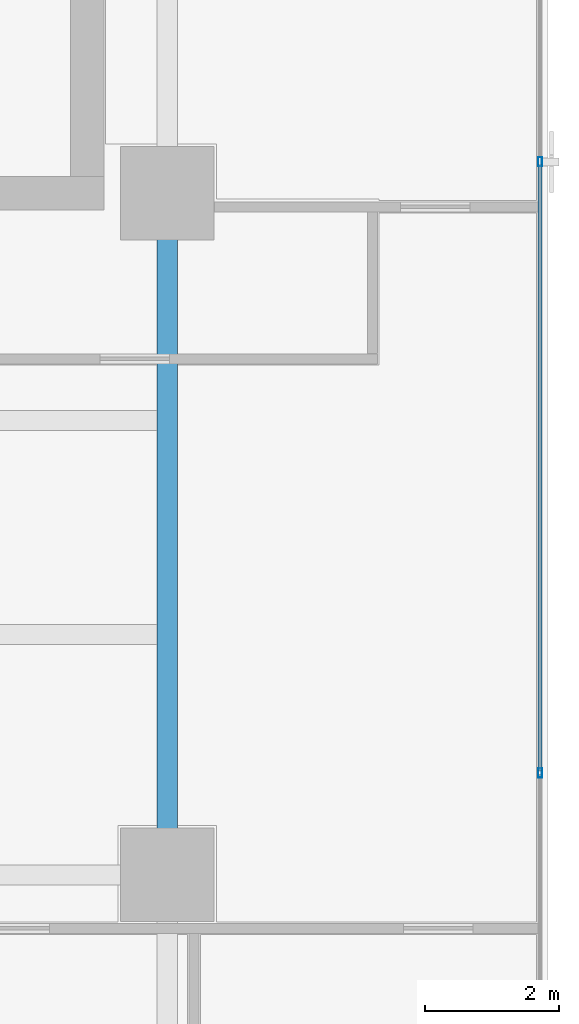
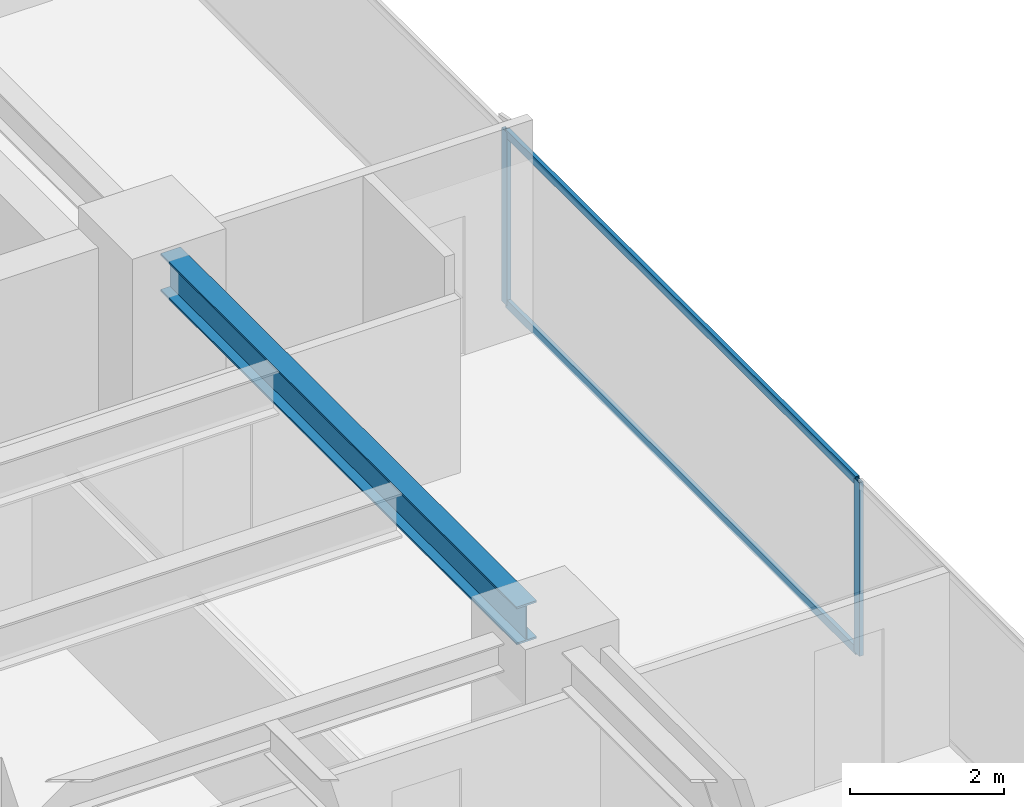
# One storey, part 13 of 25: 4 members, 1 beam, 1 element without a shape of its own.
"""IFC4 building model written with IfcOpenShell, lengths in metres."""

from ifc_helpers import new_model, si_unit, direction, frame, origin, origin_2d, place, context, subcontext, project, spatial, hollow_rectangle, i_section, extrude, source, transform, mapped, material, layer, layer_set, material_profile, profile_set, type_object, element, aggregate, save


model = new_model("IFC4")

# Units and contexts
model_context = context("Model", 3, precision=1e-05, world=origin(), true_north=direction((0.0, 1.0)))
body_context = subcontext(model_context, "Body", "Model", "MODEL_VIEW")
ifc_project = project(units=[si_unit("LENGTHUNIT", "METRE"), si_unit("AREAUNIT", "SQUARE_METRE"), si_unit("VOLUMEUNIT", "CUBIC_METRE"), si_unit("PLANEANGLEUNIT", "RADIAN"), si_unit("MASSUNIT", "GRAM", prefix="KILO")], contexts=[model_context])

# Site, building, storey
site_placement = place(None, origin())
site = spatial("IfcSite", under=ifc_project, at=site_placement, CompositionType="ELEMENT")
building_placement = place(site_placement, origin())
building = spatial("IfcBuilding", under=site, at=building_placement, Name="Sumidabori Civic Tower", CompositionType="ELEMENT")
storey_placement = place(building_placement, frame((0.0, 0.0, 246.800048828125)))
storey = spatial("IfcBuildingStorey", under=building, at=storey_placement, Name="L64", CompositionType="ELEMENT", Elevation=246.800048828125)

# Beam
ifc_material_1 = material(Name="Steel SN490", Category="steel")
ifc_material_profile_1 = material_profile(ifc_material_1, i_section(OverallWidth=0.300048828125, OverallDepth=0.60009765625, WebThickness=0.015380859375, FlangeThickness=0.030029296875, at=origin_2d()), Name="HE 600 B")
ifc_profile_set_1 = profile_set([ifc_material_profile_1], Name="Steel SN490")
beam_type = type_object("IfcBeamType", Name="BM-GIRD-600", PredefinedType="BEAM", material=ifc_profile_set_1)
shared_shape_1 = source(origin(), body_context, "Body", "SweptSolid", [
    extrude(i_section(OverallWidth=0.300048828125, OverallDepth=0.60009765625, WebThickness=0.015380859375, FlangeThickness=0.030029296875, at=origin_2d()), origin(), (0.0, 0.0, 1.0), 9.239990234375),
])
beam_placement = place(storey_placement, frame((16.800048828125, 0.47998046875, 3.070068359375), z_axis=(0.0, 1.0, 0.0), x_axis=(-1.0, 0.0, 0.0)))
element("IfcBeam", 1, at=beam_placement, inside=storey, type_object=beam_type, Name="Primary Girder L64 GY-16", PredefinedType="BEAM", context=body_context, shape_type="MappedRepresentation", body=[
    mapped(shared_shape_1, transform((0.0, 0.0, 0.0), x_axis=(1.0, 0.0, 0.0), y_axis=(0.0, 1.0, 0.0), z_axis=(0.0, 0.0, 1.0), scale=1.0)),
])

# Curtain wall, members
ifc_material_2 = material(Name="Anodised Bronze Aluminium AW-6063-T6", Category="aluminium")
ifc_layer = layer(ifc_material_2, 0.179931640625, Name="Anodised Bronze Aluminium AW-6063-T6")
ifc_layer_set = layer_set([ifc_layer], Name="Anodised Bronze Aluminium AW-6063-T6")
curtain_wall_type = type_object("IfcCurtainWallType", Name="CW-SYS-5", PredefinedType="NOTDEFINED", material=ifc_layer_set)
curtain_wall_placement = place(storey_placement, origin())
curtain_wall = element("IfcCurtainWall", 2, at=curtain_wall_placement, inside=storey, type_object=curtain_wall_type, Name="Curtain Wall CW:L64:R04", PredefinedType="NOTDEFINED")
ifc_material_profile_2 = material_profile(ifc_material_2, hollow_rectangle(XDim=0.06005859375, YDim=0.139892578125, WallThickness=0.0048828125, at=origin_2d()), Name="ALU MULLION 140x60")
ifc_profile_set_2 = profile_set([ifc_material_profile_2], Name="Anodised Bronze Aluminium AW-6063-T6")
member_type_1 = type_object("IfcMemberType", Name="CW-MUL-140", PredefinedType="MULLION", material=ifc_profile_set_2)
shared_shape_2 = source(origin(), body_context, "Body", "SweptSolid", [
    extrude(hollow_rectangle(XDim=0.06005859375, YDim=0.139892578125, WallThickness=0.0048828125, at=origin_2d()), origin(), (0.0, 0.0, 1.0), 2.75),
])
member_1_placement = place(storey_placement, frame((22.3798828125, 1.526611328125, 0.0), z_axis=(0.0, 0.0, 1.0), x_axis=(-1.0, 0.0, 0.0)))
member_1 = element("IfcMember", 3, at=member_1_placement, type_object=member_type_1, Name="CW-5 mullion 2", PredefinedType="MULLION", context=body_context, shape_type="MappedRepresentation", body=[
    mapped(shared_shape_2, transform((0.0, 0.0, 0.0), x_axis=(1.0, 0.0, 0.0), y_axis=(0.0, 1.0, 0.0), z_axis=(0.0, 0.0, 1.0), scale=1.0)),
])
member_2_placement = place(storey_placement, frame((22.3798828125, 10.67333984375, 0.0), z_axis=(0.0, 0.0, 1.0), x_axis=(-1.0, 0.0, 0.0)))
member_2 = element("IfcMember", 4, at=member_2_placement, type_object=member_type_1, Name="CW-5 mullion 3", PredefinedType="MULLION", context=body_context, shape_type="MappedRepresentation", body=[
    mapped(shared_shape_2, transform((0.0, 0.0, 0.0), x_axis=(1.0, 0.0, 0.0), y_axis=(0.0, 1.0, 0.0), z_axis=(0.0, 0.0, 1.0), scale=1.0)),
])
ifc_material_profile_3 = material_profile(ifc_material_2, hollow_rectangle(XDim=0.06005859375, YDim=0.1298828125, WallThickness=0.0048828125, at=origin_2d()), Name="ALU TRANSOM 130x60")
ifc_profile_set_3 = profile_set([ifc_material_profile_3], Name="Anodised Bronze Aluminium AW-6063-T6")
member_type_2 = type_object("IfcMemberType", Name="CW-TRN-130", PredefinedType="USERDEFINED", material=ifc_profile_set_3)
shared_shape_3 = source(origin(), body_context, "Body", "SweptSolid", [
    extrude(hollow_rectangle(XDim=0.06005859375, YDim=0.1298828125, WallThickness=0.0048828125, at=origin_2d()), origin(), (0.0, 0.0, 1.0), 9.086669921875),
])
member_3_placement = place(storey_placement, frame((22.3798828125, 1.556640625, 0.030029296875), z_axis=(0.0, 1.0, 0.0), x_axis=(-1.0, 0.0, 0.0)))
member_3 = element("IfcMember", 5, at=member_3_placement, type_object=member_type_2, Name="CW-5 transom 2.1", ObjectType="TRANSOM", PredefinedType="USERDEFINED", context=body_context, shape_type="MappedRepresentation", body=[
    mapped(shared_shape_3, transform((0.0, 0.0, 0.0), x_axis=(1.0, 0.0, 0.0), y_axis=(0.0, 1.0, 0.0), z_axis=(0.0, 0.0, 1.0), scale=1.0)),
])
member_4_placement = place(storey_placement, frame((22.3798828125, 1.556640625, 2.719970703125), z_axis=(0.0, 1.0, 0.0), x_axis=(-1.0, 0.0, 0.0)))
member_4 = element("IfcMember", 6, at=member_4_placement, type_object=member_type_2, Name="CW-5 transom 2.2", ObjectType="TRANSOM", PredefinedType="USERDEFINED", context=body_context, shape_type="MappedRepresentation", body=[
    mapped(shared_shape_3, transform((0.0, 0.0, 0.0), x_axis=(1.0, 0.0, 0.0), y_axis=(0.0, 1.0, 0.0), z_axis=(0.0, 0.0, 1.0), scale=1.0)),
])
aggregate(curtain_wall, [member_1, member_2, member_3, member_4])

save(model, "model.ifc")
